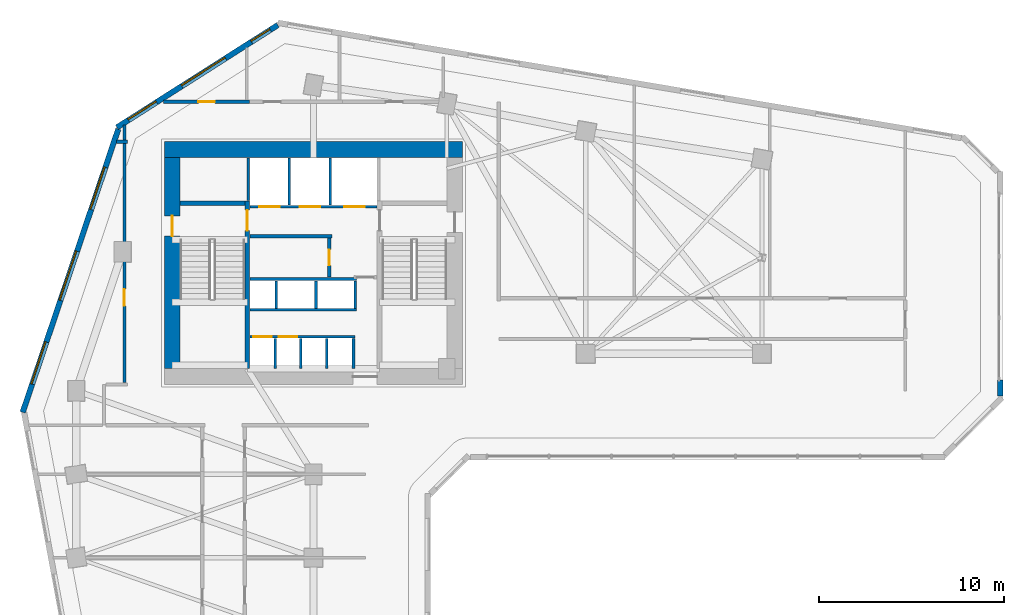
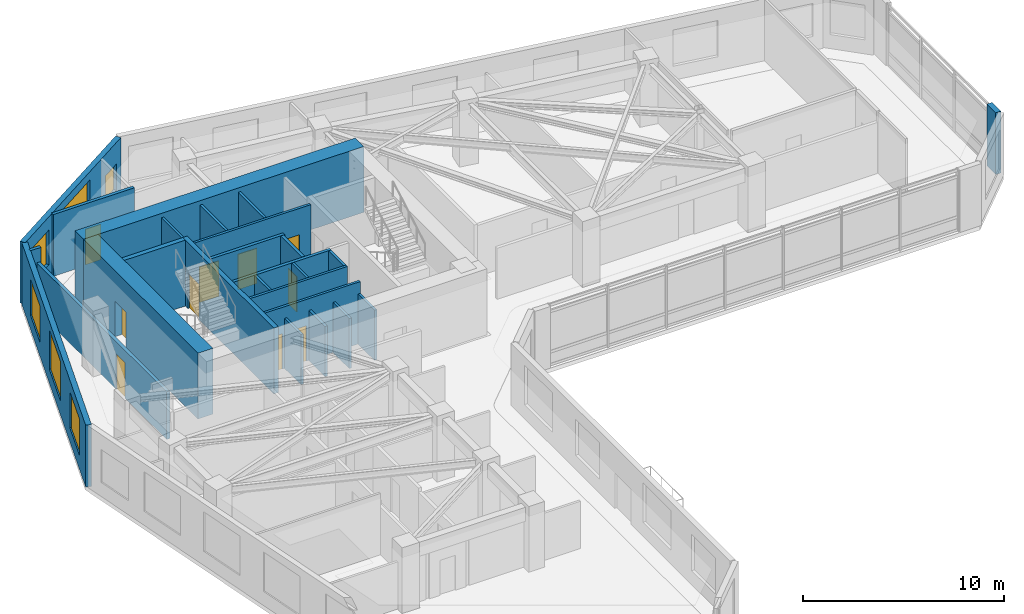
# One storey, part 7 of 11: 26 walls, 10 doors, 6 windows, 16 openings.
"""IFC4 building model written with IfcOpenShell, lengths in metres."""

from ifc_helpers import new_model, si_unit, direction, frame, frame_2d, origin, place, context, subcontext, project, spatial, rectangle, extrude, source, transform, mapped, material, layer, layer_set, type_object, element, fill, save


model = new_model("IFC4")

# Units and contexts
model_context = context("Model", 3, precision=1e-05, world=origin(), true_north=direction((0.0, 1.0)))
body_context = subcontext(model_context, "Body", "Model", "MODEL_VIEW")
ifc_project = project(units=[si_unit("LENGTHUNIT", "METRE"), si_unit("AREAUNIT", "SQUARE_METRE"), si_unit("VOLUMEUNIT", "CUBIC_METRE"), si_unit("PLANEANGLEUNIT", "RADIAN"), si_unit("MASSUNIT", "GRAM", prefix="KILO")], contexts=[model_context])

# Site, building, storey
site_placement = place(None, origin())
site = spatial("IfcSite", under=ifc_project, at=site_placement, CompositionType="ELEMENT")
building_placement = place(site_placement, origin())
building = spatial("IfcBuilding", under=site, at=building_placement, Name="Calvemar Wedge Station Tower", CompositionType="ELEMENT")
storey_placement = place(building_placement, frame((0.0, 0.0, 55.0)))
storey = spatial("IfcBuildingStorey", under=building, at=storey_placement, Name="L13", CompositionType="ELEMENT", Elevation=55.0)

# Wall, opening, door
ifc_material_1 = material(Name="Concrete C50", Category="concrete")
ifc_layer_1 = layer(ifc_material_1, 0.260009765625)
ifc_layer_set_1 = layer_set([ifc_layer_1], Name="Concrete C50")
wall_type_1 = type_object("IfcWallType", Name="SW-CORE-260", PredefinedType="SHEAR", material=ifc_layer_set_1)
wall_1_placement = place(storey_placement, frame((20.22998046875, 34.199951171875, 0.0), z_axis=(0.0, 0.0, 1.0), x_axis=(0.0, 1.0, 0.0)))
wall_1 = element("IfcWall", 1, at=wall_1_placement, inside=storey, type_object=wall_type_1, Name="Storey L13 Core Shear Wall SPINE-W", PredefinedType="SHEAR", context=body_context, shape_type="SweptSolid", body=[
    extrude(rectangle(XDim=9.06005859375, YDim=0.260009765625, at=frame_2d((4.530029296875, 0.0))), origin(), (0.0, 0.0, 1.0), 4.0),
])
shared_shape_1 = source(origin(), body_context, "Body", "SweptSolid", [
    extrude(rectangle(XDim=1.10009765625, YDim=2.14990234375, at=frame_2d((0.550048828125, 1.074951171875))), frame((0.0, 0.14013671875, 0.0), z_axis=(0.0, -1.0, 0.0), x_axis=(1.0, 0.0, 0.0)), (0.0, 0.0, 1.0), 0.280029296875),
])
opening_1_placement = place(wall_1_placement, frame((7.449951171875, 0.0, 0.0)))
opening_1 = element("IfcOpeningElement", 2, at=opening_1_placement, cuts=wall_1, Name="Opening FD-90", PredefinedType="OPENING", context=body_context, shape_type="MappedRepresentation", body=[
    mapped(shared_shape_1, transform((0.0, 0.0, 0.0), scale=1.0)),
])
ifc_material_2 = material(Name="Galvanized fire-rated steel door leaf P-90", Category="steel")
door_type_1 = type_object("IfcDoorType", Name="DR-FD90-1100", OperationType="NOTDEFINED", PredefinedType="DOOR", material=ifc_material_2)
shared_shape_2 = source(origin(), body_context, "Body", "SweptSolid", [
    extrude(rectangle(XDim=1.10009765625, YDim=2.14990234375, at=frame_2d((0.550048828125, 1.074951171875))), frame((0.0, 0.02490234375, 0.0), z_axis=(0.0, -1.0, 0.0), x_axis=(1.0, 0.0, 0.0)), (0.0, 0.0, 1.0), 0.050048828125),
])
door_1_placement = place(opening_1_placement, origin())
door_1 = element("IfcDoor", 3, at=door_1_placement, inside=storey, type_object=door_type_1, Name="L13 FF Lobby to Stair ST-C1 Door", OperationType="SINGLE_SWING_LEFT", OverallHeight=2.14990234375, OverallWidth=1.10009765625, PredefinedType="DOOR", context=body_context, shape_type="MappedRepresentation", body=[
    mapped(shared_shape_2, transform((0.0, 0.0, 0.0), scale=1.0)),
])
fill(opening_1, door_1)

# Walls
wall_2_placement = place(storey_placement, frame((16.60009765625, 43.1298828125, 0.0), z_axis=(0.0, 0.0, 1.0), x_axis=(1.0, 0.0, 0.0)))
element("IfcWall", 4, at=wall_2_placement, inside=storey, type_object=wall_type_1, Name="Storey L13 Core Shear Wall STC1-N", PredefinedType="SHEAR", context=body_context, shape_type="SweptSolid", body=[
    extrude(rectangle(XDim=3.5, YDim=0.260009765625, at=frame_2d((1.75, 0.0))), origin(), (0.0, 0.0, 1.0), 4.0),
])
ifc_material_3 = material(Name="Concrete C80", Category="concrete")
ifc_layer_2 = layer(ifc_material_3, 0.85009765625)
ifc_layer_set_2 = layer_set([ifc_layer_2], Name="Concrete C80")
wall_type_2 = type_object("IfcWallType", Name="SW-CORE-850", PredefinedType="SHEAR", material=ifc_layer_set_2)
wall_3_placement = place(storey_placement, frame((15.75, 46.02490234375, 0.0), z_axis=(0.0, 0.0, 1.0), x_axis=(1.0, 0.0, 0.0)))
element("IfcWall", 5, at=wall_3_placement, inside=storey, type_object=wall_type_2, Name="Storey L13 Core Shear Wall N", PredefinedType="SHEAR", context=body_context, shape_type="SweptSolid", body=[
    extrude(rectangle(XDim=16.10009765625, YDim=0.85009765625, at=frame_2d((8.050048828125, 0.0))), origin(), (0.0, 0.0, 1.0), 4.0),
])

# Wall, opening, door
wall_4_placement = place(storey_placement, frame((16.175048828125, 34.199951171875, 0.0), z_axis=(0.0, 0.0, 1.0), x_axis=(0.0, 1.0, 0.0)))
wall_4 = element("IfcWall", 6, at=wall_4_placement, inside=storey, type_object=wall_type_2, Name="Storey L13 Core Shear Wall W", PredefinedType="SHEAR", context=body_context, shape_type="SweptSolid", body=[
    extrude(rectangle(XDim=11.400146484375, YDim=0.85009765625, at=frame_2d((5.7001953125, 0.0))), origin(), (0.0, 0.0, 1.0), 4.0),
])
shared_shape_3 = source(origin(), body_context, "Body", "SweptSolid", [
    extrude(rectangle(XDim=1.10009765625, YDim=2.14990234375, at=frame_2d((0.550048828125, 1.074951171875))), frame((0.0, 0.43505859375, 0.0), z_axis=(0.0, -1.0, 0.0), x_axis=(1.0, 0.0, 0.0)), (0.0, 0.0, 1.0), 0.8701171875),
])
opening_2_placement = place(wall_4_placement, frame((7.14990234375, 0.0, 0.0)))
opening_2 = element("IfcOpeningElement", 7, at=opening_2_placement, cuts=wall_4, Name="Opening FD-90", PredefinedType="OPENING", context=body_context, shape_type="MappedRepresentation", body=[
    mapped(shared_shape_3, transform((0.0, 0.0, 0.0), scale=1.0)),
])
door_2_placement = place(opening_2_placement, origin())
door_2 = element("IfcDoor", 8, at=door_2_placement, inside=storey, type_object=door_type_1, Name="L13 West Corridor to Exit Stair ST-C1 Door", OperationType="SINGLE_SWING_LEFT", OverallHeight=2.14990234375, OverallWidth=1.10009765625, PredefinedType="DOOR", context=body_context, shape_type="MappedRepresentation", body=[
    mapped(shared_shape_2, transform((0.0, 0.0, 0.0), scale=1.0)),
])
fill(opening_2, door_2)

# Wall
ifc_material_4 = material(Name="Double-stud fire-rated corridor partition")
ifc_layer_3 = layer(ifc_material_4, 0.179931640625)
ifc_layer_set_3 = layer_set([ifc_layer_3], Name="Double-stud fire-rated corridor partition")
wall_type_3 = type_object("IfcWallType", Name="W-CORR-180", PredefinedType="PARTITIONING", material=ifc_layer_set_3)
wall_5_placement = place(storey_placement, frame((24.81005859375, 41.35009765625, 0.0), z_axis=(0.0, 0.0, 1.0), x_axis=(-1.0, 0.0, 0.0)))
element("IfcWall", 9, at=wall_5_placement, inside=storey, type_object=wall_type_3, Name="Storey L13 Interior Partition WL-L13-001", PredefinedType="PARTITIONING", context=body_context, shape_type="SweptSolid", body=[
    extrude(rectangle(XDim=4.43017578125, YDim=0.179931640625, at=frame_2d((2.215087890625, 0.0))), origin(), (0.0, 0.0, 1.0), 3.75),
])

# Wall, opening, door
wall_6_placement = place(storey_placement, frame((24.64990234375, 41.256103515625, 0.0), z_axis=(0.0, 0.0, 1.0), x_axis=(0.0, -1.0, 0.0)))
wall_6 = element("IfcWall", 10, at=wall_6_placement, inside=storey, type_object=wall_type_3, Name="Storey L13 Interior Partition WL-L13-002", PredefinedType="PARTITIONING", context=body_context, shape_type="SweptSolid", body=[
    extrude(rectangle(XDim=2.106201171875, YDim=0.179931640625, at=frame_2d((1.05322265625, 0.0))), origin(), (0.0, 0.0, 1.0), 3.75),
])
shared_shape_4 = source(origin(), body_context, "Body", "SweptSolid", [
    extrude(rectangle(XDim=0.85009765625, YDim=2.14990234375, at=frame_2d((0.425048828125, 1.074951171875))), frame((0.0, 0.10009765625, 0.0), z_axis=(0.0, -1.0, 0.0), x_axis=(1.0, 0.0, 0.0)), (0.0, 0.0, 1.0), 0.199951171875),
])
opening_3_placement = place(wall_6_placement, frame((0.6279296875, 0.0, 0.0)))
opening_3 = element("IfcOpeningElement", 11, at=opening_3_placement, cuts=wall_6, Name="Opening FD-60S", PredefinedType="OPENING", context=body_context, shape_type="MappedRepresentation", body=[
    mapped(shared_shape_4, transform((0.0, 0.0, 0.0), scale=1.0)),
])
ifc_material_5 = material(Name="Fire-rated steel and hardwood service door EI 60", Category="steel")
door_type_2 = type_object("IfcDoorType", Name="DR-CORE-FD60-850", OperationType="NOTDEFINED", PredefinedType="DOOR", material=ifc_material_5)
shared_shape_5 = source(origin(), body_context, "Body", "SweptSolid", [
    extrude(rectangle(XDim=0.85009765625, YDim=2.14990234375, at=frame_2d((0.425048828125, 1.074951171875))), frame((0.0, 0.02490234375, 0.0), z_axis=(0.0, -1.0, 0.0), x_axis=(1.0, 0.0, 0.0)), (0.0, 0.0, 1.0), 0.050048828125),
])
door_3_placement = place(opening_3_placement, origin())
door_3 = element("IfcDoor", 12, at=door_3_placement, inside=storey, type_object=door_type_2, Name="L13 Cleaner and Linen Store Door", OperationType="SINGLE_SWING_LEFT", OverallHeight=2.14990234375, OverallWidth=0.85009765625, PredefinedType="DOOR", context=body_context, shape_type="MappedRepresentation", body=[
    mapped(shared_shape_5, transform((0.0, 0.0, 0.0), scale=1.0)),
])
fill(opening_3, door_3)

wall_7_placement = place(storey_placement, frame((13.60009765625, 33.444091796875, 0.0), z_axis=(0.0, 0.0, 1.0), x_axis=(0.0, 1.0, 0.0)))
wall_7 = element("IfcWall", 13, at=wall_7_placement, inside=storey, type_object=wall_type_3, Name="Storey L13 Interior Partition WL-L13-008", PredefinedType="PARTITIONING", context=body_context, shape_type="SweptSolid", body=[
    extrude(rectangle(XDim=13.896240234375, YDim=0.179931640625, at=frame_2d((6.9482421875, 0.0))), origin(), (0.0, 0.0, 1.0), 2.89208984375),
])
shared_shape_6 = source(origin(), body_context, "Body", "SweptSolid", [
    extrude(rectangle(XDim=0.89990234375, YDim=2.14990234375, at=frame_2d((0.449951171875, 1.074951171875))), frame((0.0, 0.10009765625, 0.0), z_axis=(0.0, -1.0, 0.0), x_axis=(1.0, 0.0, 0.0)), (0.0, 0.0, 1.0), 0.199951171875),
])
opening_4_placement = place(wall_7_placement, frame((4.143798828125, 0.0, 0.0)))
opening_4 = element("IfcOpeningElement", 14, at=opening_4_placement, cuts=wall_7, Name="Opening D-01", PredefinedType="OPENING", context=body_context, shape_type="MappedRepresentation", body=[
    mapped(shared_shape_6, transform((0.0, 0.0, 0.0), scale=1.0)),
])
ifc_material_6 = material(Name="Architectural hardwood acoustic swing door", Category="wood")
door_type_3 = type_object("IfcDoorType", Name="DR-INT-900", OperationType="NOTDEFINED", PredefinedType="DOOR", material=ifc_material_6)
shared_shape_7 = source(origin(), body_context, "Body", "SweptSolid", [
    extrude(rectangle(XDim=0.89990234375, YDim=2.14990234375, at=frame_2d((0.449951171875, 1.074951171875))), frame((0.0, 0.02490234375, 0.0), z_axis=(0.0, -1.0, 0.0), x_axis=(1.0, 0.0, 0.0)), (0.0, 0.0, 1.0), 0.050048828125),
])
door_4_placement = place(opening_4_placement, origin())
door_4 = element("IfcDoor", 15, at=door_4_placement, inside=storey, type_object=door_type_3, Name="L13 Co-Working Studio Door", OperationType="SINGLE_SWING_LEFT", OverallHeight=2.14990234375, OverallWidth=0.89990234375, PredefinedType="DOOR", context=body_context, shape_type="MappedRepresentation", body=[
    mapped(shared_shape_7, transform((0.0, 0.0, 0.0), scale=1.0)),
])
fill(opening_4, door_4)

# Wall
wall_8_placement = place(storey_placement, frame((13.760009765625, 46.449951171875, 0.0), z_axis=(0.0, 0.0, 1.0), x_axis=(-1.0, 0.0, 0.0)))
element("IfcWall", 16, at=wall_8_placement, inside=storey, type_object=wall_type_3, Name="Storey L13 Interior Partition WL-L13-009", PredefinedType="PARTITIONING", context=body_context, shape_type="SweptSolid", body=[
    extrude(rectangle(XDim=0.60107421875, YDim=0.179931640625, at=frame_2d((0.300537109375, 0.0))), origin(), (0.0, 0.0, 1.0), 3.75),
])

# Wall, opening, door
wall_9_placement = place(storey_placement, frame((15.709716796875, 48.60009765625, 0.0), z_axis=(0.0, 0.0, 1.0), x_axis=(1.0, 0.0, 0.0)))
wall_9 = element("IfcWall", 17, at=wall_9_placement, inside=storey, type_object=wall_type_3, Name="Storey L13 Interior Partition WL-L13-010", PredefinedType="PARTITIONING", context=body_context, shape_type="SweptSolid", body=[
    extrude(rectangle(XDim=4.650390625, YDim=0.179931640625, at=frame_2d((2.3251953125, 0.0))), origin(), (0.0, 0.0, 1.0), 3.75),
])
opening_5_placement = place(wall_9_placement, frame((1.875, 0.0, 0.0)))
opening_5 = element("IfcOpeningElement", 18, at=opening_5_placement, cuts=wall_9, Name="Opening D-01", PredefinedType="OPENING", context=body_context, shape_type="MappedRepresentation", body=[
    mapped(shared_shape_6, transform((0.0, 0.0, 0.0), scale=1.0)),
])
door_5_placement = place(opening_5_placement, origin())
door_5 = element("IfcDoor", 19, at=door_5_placement, inside=storey, type_object=door_type_3, Name="L13 Male Toilet Door", OperationType="SINGLE_SWING_RIGHT", OverallHeight=2.14990234375, OverallWidth=0.89990234375, PredefinedType="DOOR", context=body_context, shape_type="MappedRepresentation", body=[
    mapped(shared_shape_7, transform((0.0, 0.0, 0.0), scale=1.0)),
])
fill(opening_5, door_5)

# Wall
ifc_material_7 = material(Name="Precast concrete C45", Category="concrete")
ifc_layer_4 = layer(ifc_material_7, 0.300048828125)
ifc_layer_set_4 = layer_set([ifc_layer_4], Name="Precast concrete C45")
wall_type_4 = type_object("IfcWallType", Name="W-EXT-GFRC-300", PredefinedType="SOLIDWALL", material=ifc_layer_set_4)
wall_10_placement = place(storey_placement, frame((60.85009765625, 32.71728515625, 0.0), z_axis=(0.0, 0.0, 1.0), x_axis=(0.0, 1.0, 0.0)))
element("IfcWall", 20, at=wall_10_placement, inside=storey, type_object=wall_type_4, Name="Storey L13 Bronze GFRC Corner Pier 8A", PredefinedType="SOLIDWALL", context=body_context, shape_type="SweptSolid", body=[
    extrude(rectangle(XDim=0.8798828125, YDim=0.300048828125, at=frame_2d((0.43994140625, 0.0))), origin(), (0.0, 0.0, 1.0), 3.75),
])

# Wall, openings, windows
wall_11_placement = place(storey_placement, frame((21.875, 52.742919921875, 0.0), z_axis=(0.0, 0.0, 1.0), x_axis=(-0.843647802826, -0.536896996441, 0.0)))
wall_11 = element("IfcWall", 21, at=wall_11_placement, inside=storey, type_object=wall_type_4, Name="Storey L13 Bronze GFRC Exterior Wall 11", PredefinedType="SOLIDWALL", context=body_context, shape_type="SweptSolid", body=[
    extrude(rectangle(XDim=10.284423828125, YDim=0.300048828125, at=frame_2d((5.14208984375, 0.0))), origin(), (0.0, 0.0, 1.0), 3.75),
])
shared_shape_8 = source(origin(), body_context, "Body", "SweptSolid", [
    extrude(rectangle(XDim=1.199951171875, YDim=1.60009765625, at=frame_2d((0.60009765625, 0.800048828125))), frame((0.0, 0.16015625, 0.0), z_axis=(0.0, -1.0, 0.0), x_axis=(1.0, 0.0, 0.0)), (0.0, 0.0, 1.0), 0.320068359375),
])
opening_6_placement = place(wall_11_placement, frame((0.47900390625, 0.0, 0.85009765625)))
opening_6 = element("IfcOpeningElement", 22, at=opening_6_placement, cuts=wall_11, Name="Opening W5", PredefinedType="OPENING", context=body_context, shape_type="MappedRepresentation", body=[
    mapped(shared_shape_8, transform((0.0, 0.0, 0.0), scale=1.0)),
])
shared_shape_9 = source(origin(), body_context, "Body", "SweptSolid", [
    extrude(rectangle(XDim=2.800048828125, YDim=2.39990234375, at=frame_2d((1.39990234375, 1.199951171875))), frame((0.0, 0.16015625, 0.0), z_axis=(0.0, -1.0, 0.0), x_axis=(1.0, 0.0, 0.0)), (0.0, 0.0, 1.0), 0.320068359375),
])
opening_7_placement = place(wall_11_placement, frame((3.342041015625, 0.0, 0.85009765625)))
opening_7 = element("IfcOpeningElement", 23, at=opening_7_placement, cuts=wall_11, Name="Opening W6", PredefinedType="OPENING", context=body_context, shape_type="MappedRepresentation", body=[
    mapped(shared_shape_9, transform((0.0, 0.0, 0.0), scale=1.0)),
])
shared_shape_10 = source(origin(), body_context, "Body", "SweptSolid", [
    extrude(rectangle(XDim=1.800048828125, YDim=2.10009765625, at=frame_2d((0.89990234375, 1.050048828125))), frame((0.0, 0.16015625, 0.0), z_axis=(0.0, -1.0, 0.0), x_axis=(1.0, 0.0, 0.0)), (0.0, 0.0, 1.0), 0.320068359375),
])
opening_8_placement = place(wall_11_placement, frame((7.75390625, 0.0, 0.85009765625)))
opening_8 = element("IfcOpeningElement", 24, at=opening_8_placement, cuts=wall_11, Name="Opening W2", PredefinedType="OPENING", context=body_context, shape_type="MappedRepresentation", body=[
    mapped(shared_shape_10, transform((0.0, 0.0, 0.0), scale=1.0)),
])
ifc_material_8 = material(Name="Low-E laminated insulated glass", Category="glass")
window_type_1 = type_object("IfcWindowType", Name="WIN-EXT-2", PartitioningType="SINGLE_PANEL", PredefinedType="WINDOW", material=ifc_material_8)
shared_shape_11 = source(origin(), body_context, "Body", "SweptSolid", [
    extrude(rectangle(XDim=1.800048828125, YDim=2.10009765625, at=frame_2d((0.89990234375, 1.050048828125))), frame((0.0, -0.014892578125, 0.0), z_axis=(0.0, -1.0, 0.0), x_axis=(1.0, 0.0, 0.0)), (0.0, 0.0, 1.0), 0.06005859375),
])
window_1_placement = place(opening_8_placement, origin())
window_1 = element("IfcWindow", 25, at=window_1_placement, inside=storey, type_object=window_type_1, Name="Storey L13 Recessed Window 11.3", OverallHeight=2.10009765625, OverallWidth=1.800048828125, PartitioningType="SINGLE_PANEL", PredefinedType="WINDOW", context=body_context, shape_type="MappedRepresentation", body=[
    mapped(shared_shape_11, transform((0.0, 0.0, 0.0), scale=1.0)),
])
fill(opening_8, window_1)
window_type_2 = type_object("IfcWindowType", Name="WIN-EXT-6", PartitioningType="SINGLE_PANEL", PredefinedType="WINDOW", material=ifc_material_8)
shared_shape_12 = source(origin(), body_context, "Body", "SweptSolid", [
    extrude(rectangle(XDim=2.800048828125, YDim=2.39990234375, at=frame_2d((1.39990234375, 1.199951171875))), frame((0.0, -0.014892578125, 0.0), z_axis=(0.0, -1.0, 0.0), x_axis=(1.0, 0.0, 0.0)), (0.0, 0.0, 1.0), 0.06005859375),
])
window_2_placement = place(opening_7_placement, origin())
window_2 = element("IfcWindow", 26, at=window_2_placement, inside=storey, type_object=window_type_2, Name="Storey L13 Recessed Window 11.2", OverallHeight=2.39990234375, OverallWidth=2.800048828125, PartitioningType="SINGLE_PANEL", PredefinedType="WINDOW", context=body_context, shape_type="MappedRepresentation", body=[
    mapped(shared_shape_12, transform((0.0, 0.0, 0.0), scale=1.0)),
])
fill(opening_7, window_2)
window_type_3 = type_object("IfcWindowType", Name="WIN-EXT-5", PartitioningType="SINGLE_PANEL", PredefinedType="WINDOW", material=ifc_material_8)
shared_shape_13 = source(origin(), body_context, "Body", "SweptSolid", [
    extrude(rectangle(XDim=1.199951171875, YDim=1.60009765625, at=frame_2d((0.60009765625, 0.800048828125))), frame((0.0, -0.014892578125, 0.0), z_axis=(0.0, -1.0, 0.0), x_axis=(1.0, 0.0, 0.0)), (0.0, 0.0, 1.0), 0.06005859375),
])
window_3_placement = place(opening_6_placement, origin())
window_3 = element("IfcWindow", 27, at=window_3_placement, inside=storey, type_object=window_type_3, Name="Storey L13 Recessed Window 11.1", OverallHeight=1.60009765625, OverallWidth=1.199951171875, PartitioningType="SINGLE_PANEL", PredefinedType="WINDOW", context=body_context, shape_type="MappedRepresentation", body=[
    mapped(shared_shape_13, transform((0.0, 0.0, 0.0), scale=1.0)),
])
fill(opening_6, window_3)

wall_12_placement = place(storey_placement, frame((13.2685546875, 47.1337890625, 0.0), z_axis=(0.0, 0.0, 1.0), x_axis=(-0.319920423265, -0.947444416722, 0.0)))
wall_12 = element("IfcWall", 28, at=wall_12_placement, inside=storey, type_object=wall_type_4, Name="Storey L13 Bronze GFRC Exterior Wall 12", PredefinedType="SOLIDWALL", context=body_context, shape_type="SweptSolid", body=[
    extrude(rectangle(XDim=16.134765625, YDim=0.300048828125, at=frame_2d((8.0673828125, 0.0))), origin(), (0.0, 0.0, 1.0), 3.75),
])
shared_shape_14 = source(origin(), body_context, "Body", "SweptSolid", [
    extrude(rectangle(XDim=2.39990234375, YDim=2.199951171875, at=frame_2d((1.199951171875, 1.10009765625))), frame((0.0, 0.16015625, 0.0), z_axis=(0.0, -1.0, 0.0), x_axis=(1.0, 0.0, 0.0)), (0.0, 0.0, 1.0), 0.320068359375),
])
opening_9_placement = place(wall_12_placement, frame((2.18798828125, 0.0, 0.85009765625)))
opening_9 = element("IfcOpeningElement", 29, at=opening_9_placement, cuts=wall_12, Name="Opening W1", PredefinedType="OPENING", context=body_context, shape_type="MappedRepresentation", body=[
    mapped(shared_shape_14, transform((0.0, 0.0, 0.0), scale=1.0)),
])
opening_10_placement = place(wall_12_placement, frame((6.958984375, 0.0, 0.85009765625)))
opening_10 = element("IfcOpeningElement", 30, at=opening_10_placement, cuts=wall_12, Name="Opening W6", PredefinedType="OPENING", context=body_context, shape_type="MappedRepresentation", body=[
    mapped(shared_shape_9, transform((0.0, 0.0, 0.0), scale=1.0)),
])
opening_11_placement = place(wall_12_placement, frame((12.1298828125, 0.0, 0.85009765625)))
opening_11 = element("IfcOpeningElement", 31, at=opening_11_placement, cuts=wall_12, Name="Opening W1", PredefinedType="OPENING", context=body_context, shape_type="MappedRepresentation", body=[
    mapped(shared_shape_14, transform((0.0, 0.0, 0.0), scale=1.0)),
])
window_4_placement = place(opening_10_placement, origin())
window_4 = element("IfcWindow", 32, at=window_4_placement, inside=storey, type_object=window_type_2, Name="Storey L13 Recessed Window 12.2", OverallHeight=2.39990234375, OverallWidth=2.800048828125, PartitioningType="SINGLE_PANEL", PredefinedType="WINDOW", context=body_context, shape_type="MappedRepresentation", body=[
    mapped(shared_shape_12, transform((0.0, 0.0, 0.0), scale=1.0)),
])
fill(opening_10, window_4)
window_type_4 = type_object("IfcWindowType", Name="WIN-EXT-1", PartitioningType="SINGLE_PANEL", PredefinedType="WINDOW", material=ifc_material_8)
shared_shape_15 = source(origin(), body_context, "Body", "SweptSolid", [
    extrude(rectangle(XDim=2.39990234375, YDim=2.199951171875, at=frame_2d((1.199951171875, 1.10009765625))), frame((0.0, -0.014892578125, 0.0), z_axis=(0.0, -1.0, 0.0), x_axis=(1.0, 0.0, 0.0)), (0.0, 0.0, 1.0), 0.06005859375),
])
window_5_placement = place(opening_9_placement, origin())
window_5 = element("IfcWindow", 33, at=window_5_placement, inside=storey, type_object=window_type_4, Name="Storey L13 Recessed Window 12.1", OverallHeight=2.199951171875, OverallWidth=2.39990234375, PartitioningType="SINGLE_PANEL", PredefinedType="WINDOW", context=body_context, shape_type="MappedRepresentation", body=[
    mapped(shared_shape_15, transform((0.0, 0.0, 0.0), scale=1.0)),
])
fill(opening_9, window_5)
window_6_placement = place(opening_11_placement, origin())
window_6 = element("IfcWindow", 34, at=window_6_placement, inside=storey, type_object=window_type_4, Name="Storey L13 Recessed Window 12.3", OverallHeight=2.199951171875, OverallWidth=2.39990234375, PartitioningType="SINGLE_PANEL", PredefinedType="WINDOW", context=body_context, shape_type="MappedRepresentation", body=[
    mapped(shared_shape_15, transform((0.0, 0.0, 0.0), scale=1.0)),
])
fill(opening_11, window_6)

# Wall, openings, doors
ifc_material_9 = material(Name="Reinforced concrete blockwork lift shaft wall", Category="masonry")
ifc_layer_5 = layer(ifc_material_9, 0.139892578125)
ifc_layer_set_5 = layer_set([ifc_layer_5], Name="Reinforced concrete blockwork lift shaft wall")
wall_type_5 = type_object("IfcWallType", Name="W-LIFT-160", PredefinedType="SOLIDWALL", material=ifc_layer_set_5)
wall_13_placement = place(storey_placement, frame((20.3701171875, 42.929931640625, 0.0), z_axis=(0.0, 0.0, 1.0), x_axis=(1.0, 0.0, 0.0)))
wall_13 = element("IfcWall", 35, at=wall_13_placement, inside=storey, type_object=wall_type_5, Name="Storey L13 Firefighting and Service Lift Shaft Front Wall", PredefinedType="SOLIDWALL", context=body_context, shape_type="SweptSolid", body=[
    extrude(rectangle(XDim=6.85986328125, YDim=0.139892578125, at=frame_2d((3.429931640625, 0.0))), origin(), (0.0, 0.0, 1.0), 3.75),
])
shared_shape_16 = source(origin(), body_context, "Body", "SweptSolid", [
    extrude(rectangle(XDim=1.10009765625, YDim=2.14990234375, at=frame_2d((0.550048828125, 1.074951171875))), frame((0.0, 0.080078125, 0.0), z_axis=(0.0, -1.0, 0.0), x_axis=(1.0, 0.0, 0.0)), (0.0, 0.0, 1.0), 0.159912109375),
])
opening_12_placement = place(wall_13_placement, frame((0.5, 0.0, 0.0)))
opening_12 = element("IfcOpeningElement", 36, at=opening_12_placement, cuts=wall_13, Name="Opening LD-FF", PredefinedType="OPENING", context=body_context, shape_type="MappedRepresentation", body=[
    mapped(shared_shape_16, transform((0.0, 0.0, 0.0), scale=1.0)),
])
opening_13_placement = place(wall_13_placement, frame((2.699951171875, 0.0, 0.0)))
opening_13 = element("IfcOpeningElement", 37, at=opening_13_placement, cuts=wall_13, Name="Opening LD-FF", PredefinedType="OPENING", context=body_context, shape_type="MappedRepresentation", body=[
    mapped(shared_shape_16, transform((0.0, 0.0, 0.0), scale=1.0)),
])
opening_14_placement = place(wall_13_placement, frame((5.10009765625, 0.0, 0.0)))
opening_14 = element("IfcOpeningElement", 38, at=opening_14_placement, cuts=wall_13, Name="Opening LD-STN", PredefinedType="OPENING", context=body_context, shape_type="MappedRepresentation", body=[
    mapped(shared_shape_16, transform((0.0, 0.0, 0.0), scale=1.0)),
])
ifc_material_10 = material(Name="Stainless steel firefighting lift sliding landing door", Category="steel")
door_type_4 = type_object("IfcDoorType", Name="DR-LD-FF-1100", OperationType="SLIDING_TO_LEFT", PredefinedType="DOOR", material=ifc_material_10)
shared_shape_17 = source(origin(), body_context, "Body", "SweptSolid", [
    extrude(rectangle(XDim=1.10009765625, YDim=2.14990234375, at=frame_2d((0.550048828125, 1.074951171875))), frame((0.0, 0.02490234375, 0.0), z_axis=(0.0, -1.0, 0.0), x_axis=(1.0, 0.0, 0.0)), (0.0, 0.0, 1.0), 0.050048828125),
])
door_6_placement = place(opening_12_placement, origin())
door_6 = element("IfcDoor", 39, at=door_6_placement, inside=storey, type_object=door_type_4, Name="L13 Lift FF-01 Sliding Landing Door", OperationType="SLIDING_TO_LEFT", OverallHeight=2.14990234375, OverallWidth=1.10009765625, PredefinedType="DOOR", context=body_context, shape_type="MappedRepresentation", body=[
    mapped(shared_shape_17, transform((0.0, 0.0, 0.0), scale=1.0)),
])
fill(opening_12, door_6)
door_7_placement = place(opening_13_placement, origin())
door_7 = element("IfcDoor", 40, at=door_7_placement, inside=storey, type_object=door_type_4, Name="L13 Lift FF-02 Sliding Landing Door", OperationType="SLIDING_TO_RIGHT", OverallHeight=2.14990234375, OverallWidth=1.10009765625, PredefinedType="DOOR", context=body_context, shape_type="MappedRepresentation", body=[
    mapped(shared_shape_17, transform((0.0, 0.0, 0.0), scale=1.0)),
])
fill(opening_13, door_7)
ifc_material_11 = material(Name="Stainless steel transit lift sliding landing door", Category="steel")
door_type_5 = type_object("IfcDoorType", Name="DR-LD-PAX-1100", OperationType="SLIDING_TO_LEFT", PredefinedType="DOOR", material=ifc_material_11)
shared_shape_18 = source(origin(), body_context, "Body", "SweptSolid", [
    extrude(rectangle(XDim=1.10009765625, YDim=2.14990234375, at=frame_2d((0.550048828125, 1.074951171875))), frame((0.0, 0.02490234375, 0.0), z_axis=(0.0, -1.0, 0.0), x_axis=(1.0, 0.0, 0.0)), (0.0, 0.0, 1.0), 0.050048828125),
])
door_8_placement = place(opening_14_placement, origin())
door_8 = element("IfcDoor", 41, at=door_8_placement, inside=storey, type_object=door_type_5, Name="L13 Lift SV-01 Sliding Landing Door", OperationType="SLIDING_TO_LEFT", OverallHeight=2.14990234375, OverallWidth=1.10009765625, PredefinedType="DOOR", context=body_context, shape_type="MappedRepresentation", body=[
    mapped(shared_shape_18, transform((0.0, 0.0, 0.0), scale=1.0)),
])
fill(opening_14, door_8)

# Walls
wall_14_placement = place(storey_placement, frame((20.2900390625, 43.280029296875, 0.0), z_axis=(0.0, 0.0, 1.0), x_axis=(0.0, 1.0, 0.0)))
element("IfcWall", 42, at=wall_14_placement, inside=storey, type_object=wall_type_5, Name="Storey L13 Firefighting Lift Shaft Enclosure Wall W", PredefinedType="SOLIDWALL", context=body_context, shape_type="SweptSolid", body=[
    extrude(rectangle(XDim=2.300048828125, YDim=0.139892578125, at=frame_2d((1.14990234375, 0.0))), origin(), (0.0, 0.0, 1.0), 3.75),
])
for number, where, z_axis, x_axis, name in (
    (43, (22.5, 43.02001953125, 0.0), (0.0, 0.0, 1.0), (0.0, 1.0, 0.0), "Storey L13 Firefighting Lift Shaft Enclosure Wall D1"),
    (44, (24.699951171875, 43.02001953125, 0.0), (0.0, 0.0, 1.0), (0.0, 1.0, 0.0), "Storey L13 Firefighting Lift Shaft Enclosure Wall D2"),
):
    element("IfcWall", number, at=place(storey_placement, frame(where, z_axis=z_axis, x_axis=x_axis)), inside=storey, type_object=wall_type_5, Name=name, PredefinedType="SOLIDWALL", context=body_context, shape_type="SweptSolid", body=[
        extrude(rectangle(XDim=2.56005859375, YDim=0.139892578125, at=frame_2d((1.280029296875, 0.0))), origin(), (0.0, 0.0, 1.0), 3.75),
    ])

# Wall, openings, doors
wall_15_placement = place(storey_placement, frame((20.3798828125, 35.919921875, 0.0), z_axis=(0.0, 0.0, 1.0), x_axis=(1.0, 0.0, 0.0)))
wall_15 = element("IfcWall", 45, at=wall_15_placement, inside=storey, type_object=wall_type_5, Name="Storey L13 South Passenger Lift Bank Front Wall", PredefinedType="SOLIDWALL", context=body_context, shape_type="SweptSolid", body=[
    extrude(rectangle(XDim=5.650146484375, YDim=0.139892578125, at=frame_2d((2.8251953125, 0.0))), origin(), (0.0, 0.0, 1.0), 3.75),
])
shared_shape_19 = source(origin(), body_context, "Body", "SweptSolid", [
    extrude(rectangle(XDim=1.0, YDim=2.14990234375, at=frame_2d((0.5, 1.074951171875))), frame((0.0, 0.080078125, 0.0), z_axis=(0.0, -1.0, 0.0), x_axis=(1.0, 0.0, 0.0)), (0.0, 0.0, 1.0), 0.159912109375),
])
opening_15_placement = place(wall_15_placement, frame((0.159912109375, 0.0, 0.0)))
opening_15 = element("IfcOpeningElement", 46, at=opening_15_placement, cuts=wall_15, Name="Opening LD-PAX", PredefinedType="OPENING", context=body_context, shape_type="MappedRepresentation", body=[
    mapped(shared_shape_19, transform((0.0, 0.0, 0.0), scale=1.0)),
])
opening_16_placement = place(wall_15_placement, frame((1.550048828125, 0.0, 0.0)))
opening_16 = element("IfcOpeningElement", 47, at=opening_16_placement, cuts=wall_15, Name="Opening LD-PAX", PredefinedType="OPENING", context=body_context, shape_type="MappedRepresentation", body=[
    mapped(shared_shape_19, transform((0.0, 0.0, 0.0), scale=1.0)),
])
ifc_material_12 = material(Name="Anodised bronze passenger lift sliding landing door")
door_type_6 = type_object("IfcDoorType", Name="DR-LD-PAX-1000", OperationType="SLIDING_TO_LEFT", PredefinedType="DOOR", material=ifc_material_12)
shared_shape_20 = source(origin(), body_context, "Body", "SweptSolid", [
    extrude(rectangle(XDim=1.0, YDim=2.14990234375, at=frame_2d((0.5, 1.074951171875))), frame((0.0, 0.02490234375, 0.0), z_axis=(0.0, -1.0, 0.0), x_axis=(1.0, 0.0, 0.0)), (0.0, 0.0, 1.0), 0.050048828125),
])
door_9_placement = place(opening_15_placement, origin())
door_9 = element("IfcDoor", 48, at=door_9_placement, inside=storey, type_object=door_type_6, Name="L13 Lift OL-01 Sliding Landing Door", OperationType="SLIDING_TO_LEFT", OverallHeight=2.14990234375, OverallWidth=1.0, PredefinedType="DOOR", context=body_context, shape_type="MappedRepresentation", body=[
    mapped(shared_shape_20, transform((0.0, 0.0, 0.0), scale=1.0)),
])
fill(opening_15, door_9)
door_10_placement = place(opening_16_placement, origin())
door_10 = element("IfcDoor", 49, at=door_10_placement, inside=storey, type_object=door_type_6, Name="L13 Lift OL-02 Sliding Landing Door", OperationType="SLIDING_TO_RIGHT", OverallHeight=2.14990234375, OverallWidth=1.0, PredefinedType="DOOR", context=body_context, shape_type="MappedRepresentation", body=[
    mapped(shared_shape_20, transform((0.0, 0.0, 0.0), scale=1.0)),
])
fill(opening_16, door_10)

# Walls
for number, where, z_axis, x_axis, name in (
    (50, (25.9599609375, 34.219970703125, 0.0), (0.0, 0.0, 1.0), (0.0, 1.0, 0.0), "Storey L13 South Passenger Lift Shaft Wall E"),
    (51, (21.735107421875, 34.219970703125, 0.0), (0.0, 0.0, 1.0), (0.0, 1.0, 0.0), "Storey L13 South Passenger Lift Shaft Wall D1"),
    (52, (23.125, 34.219970703125, 0.0), (0.0, 0.0, 1.0), (0.0, 1.0, 0.0), "Storey L13 South Passenger Lift Shaft Wall D2"),
    (53, (24.514892578125, 34.219970703125, 0.0), (0.0, 0.0, 1.0), (0.0, 1.0, 0.0), "Storey L13 South Passenger Lift Shaft Wall D3"),
):
    element("IfcWall", number, at=place(storey_placement, frame(where, z_axis=z_axis, x_axis=x_axis)), inside=storey, type_object=wall_type_5, Name=name, PredefinedType="SOLIDWALL", context=body_context, shape_type="SweptSolid", body=[
        extrude(rectangle(XDim=1.6201171875, YDim=0.139892578125, at=frame_2d((0.81005859375, 0.0))), origin(), (0.0, 0.0, 1.0), 3.0419921875),
    ])
wall_16_placement = place(storey_placement, frame((20.3798828125, 37.3798828125, 0.0), z_axis=(0.0, 0.0, 1.0), x_axis=(1.0, 0.0, 0.0)))
element("IfcWall", 54, at=wall_16_placement, inside=storey, type_object=wall_type_5, Name="Storey L13 Upper Passenger Lift Bank Front Wall", PredefinedType="SOLIDWALL", context=body_context, shape_type="SweptSolid", body=[
    extrude(rectangle(XDim=5.75, YDim=0.139892578125, at=frame_2d((2.875, 0.0))), origin(), (0.0, 0.0, 1.0), 3.75),
])
for number, where, z_axis, x_axis, name in (
    (55, (26.06005859375, 37.4599609375, 0.0), (0.0, 0.0, 1.0), (0.0, 1.0, 0.0), "Storey L13 Upper Passenger Lift Shaft Wall E"),
    (56, (21.794921875, 37.4599609375, 0.0), (0.0, 0.0, 1.0), (0.0, 1.0, 0.0), "Storey L13 Upper Passenger Lift Shaft Wall D1"),
    (57, (23.93505859375, 37.4599609375, 0.0), (0.0, 0.0, 1.0), (0.0, 1.0, 0.0), "Storey L13 Upper Passenger Lift Shaft Wall D2"),
):
    element("IfcWall", number, at=place(storey_placement, frame(where, z_axis=z_axis, x_axis=x_axis)), inside=storey, type_object=wall_type_5, Name=name, PredefinedType="SOLIDWALL", context=body_context, shape_type="SweptSolid", body=[
        extrude(rectangle(XDim=1.47998046875, YDim=0.139892578125, at=frame_2d((0.739990234375, 0.0))), origin(), (0.0, 0.0, 1.0), 3.75),
    ])
ifc_material_13 = material(Name="Concrete blockwork and fireboard shaft wall", Category="masonry")
ifc_layer_6 = layer(ifc_material_13, 0.199951171875)
ifc_layer_set_6 = layer_set([ifc_layer_6], Name="Concrete blockwork and fireboard shaft wall")
wall_type_6 = type_object("IfcWallType", Name="W-SHAFT-200", PredefinedType="SOLIDWALL", material=ifc_layer_set_6)
wall_17_placement = place(storey_placement, frame((20.3798828125, 39.0400390625, 0.0), z_axis=(0.0, 0.0, 1.0), x_axis=(1.0, 0.0, 0.0)))
element("IfcWall", 58, at=wall_17_placement, inside=storey, type_object=wall_type_6, Name="Storey L13 Upper Passenger Lift Bank Rear Shaft Wall", PredefinedType="SOLIDWALL", context=body_context, shape_type="SweptSolid", body=[
    extrude(rectangle(XDim=5.75, YDim=0.179931640625, at=frame_2d((2.875, 0.0))), origin(), (0.0, 0.0, 1.0), 3.75),
])

save(model, "model.ifc")
